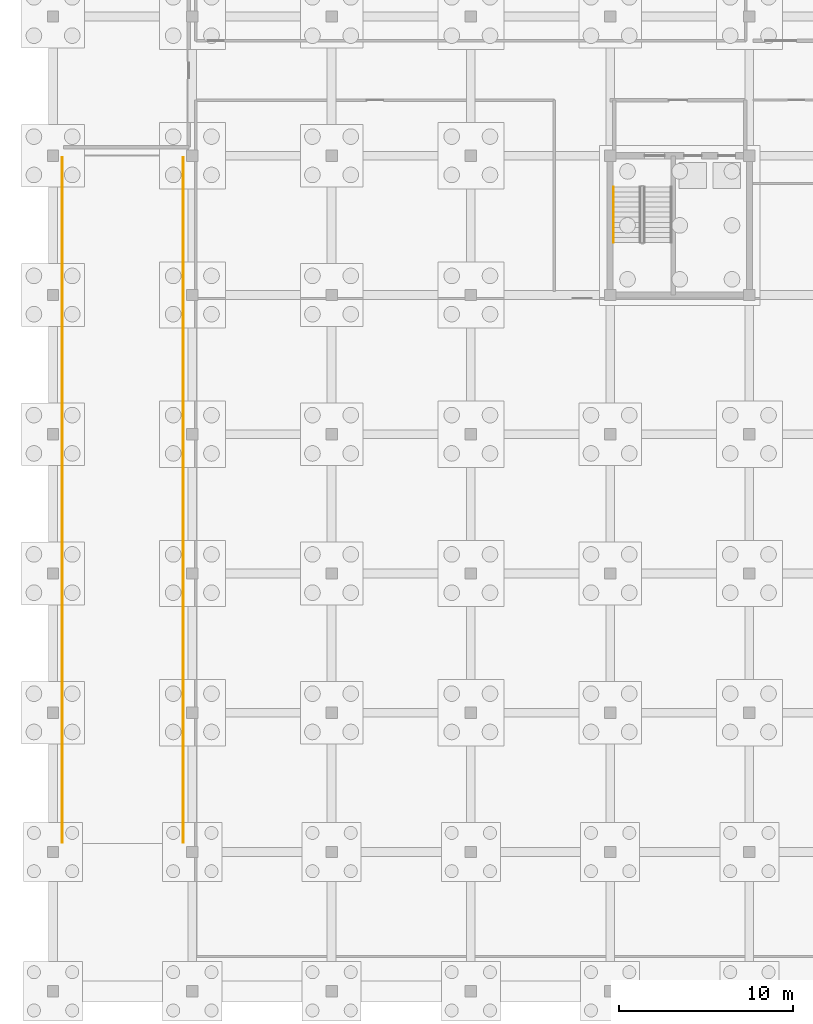
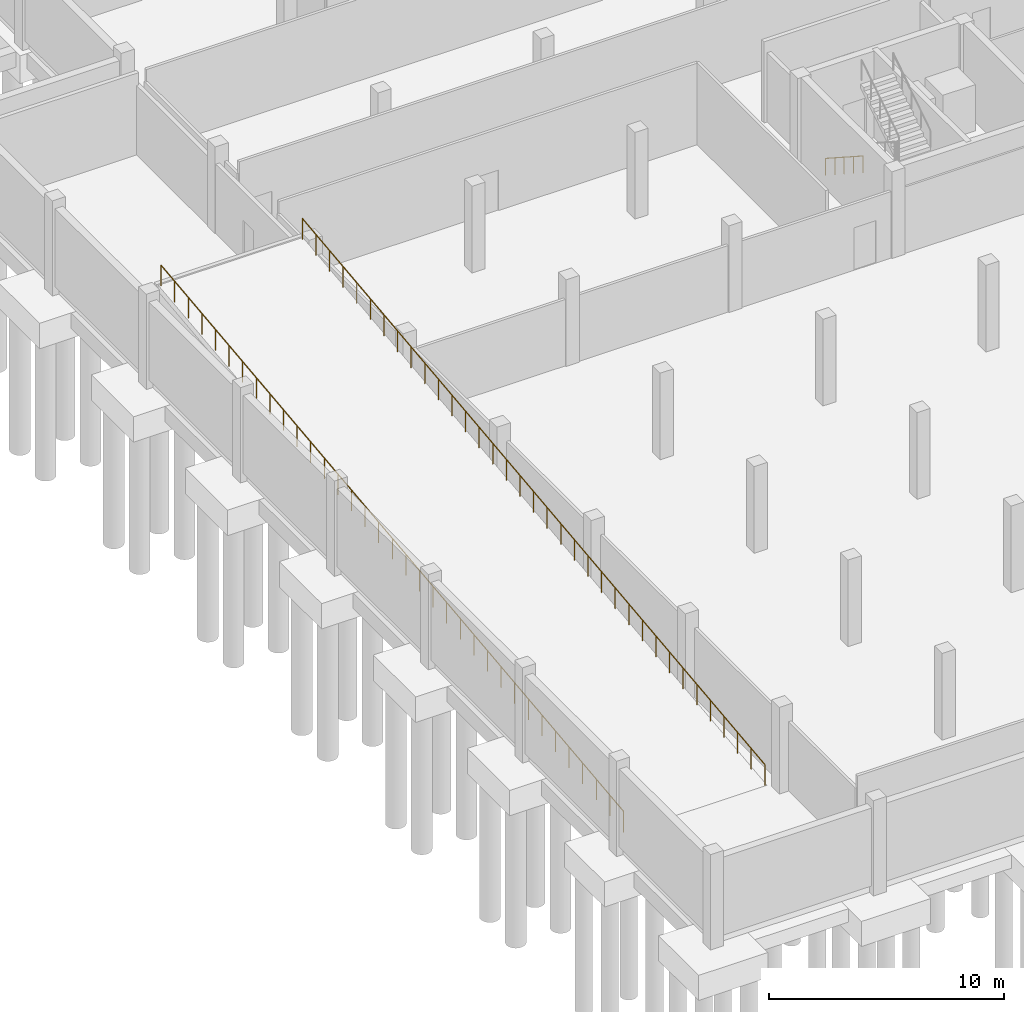
# One storey, part 16 of 22: 3 railings.
"""IFC4 building model written with IfcOpenShell, lengths in metres."""

from ifc_helpers import new_model, si_unit, direction, frame, origin, origin_2d, place, context, subcontext, project, spatial, circle, extrude, material, type_object, element, save


model = new_model("IFC4")

# Units and contexts
model_context = context("Model", 3, precision=1e-05, world=origin(), true_north=direction((0.0, 1.0)))
body_context = subcontext(model_context, "Body", "Model", "MODEL_VIEW")
ifc_project = project(units=[si_unit("LENGTHUNIT", "METRE"), si_unit("AREAUNIT", "SQUARE_METRE"), si_unit("VOLUMEUNIT", "CUBIC_METRE"), si_unit("PLANEANGLEUNIT", "RADIAN"), si_unit("MASSUNIT", "GRAM", prefix="KILO")], contexts=[model_context])

# Site, building, storey
site_placement = place(None, origin())
site = spatial("IfcSite", under=ifc_project, at=site_placement, CompositionType="ELEMENT")
building_placement = place(site_placement, origin())
building = spatial("IfcBuilding", under=site, at=building_placement, Name="Vharandega Faculty of Natural Sciences", CompositionType="ELEMENT")
storey_placement = place(building_placement, frame((0.0, 0.0, -4.5)))
storey = spatial("IfcBuildingStorey", under=building, at=storey_placement, Name="B01", CompositionType="ELEMENT", Elevation=-4.5)

# Railings
ifc_material_1 = material(Name="Brushed stainless steel handrail", Category="steel")
railing_type_1 = type_object("IfcRailingType", Name="Stair Tubular Handrail 900", PredefinedType="HANDRAIL", material=ifc_material_1)
railing_1_placement = place(storey_placement, frame((32.18994140625, 46.2099609375, 0.1875)))
element("IfcRailing", 1, at=railing_1_placement, inside=storey, type_object=railing_type_1, Name="B01 ST3 stair handrail 1", PredefinedType="HANDRAIL", context=body_context, shape_type="SweptSolid", body=[
    extrude(circle(Radius=0.02392578125, at=origin_2d()), frame((0.0, 0.0, 0.8759765625), z_axis=(0.0, -0.839759782654, 0.542958108362), x_axis=(1.0, 0.0, 0.0)), (0.0, 0.0, 1.0), 3.798583984375),
    extrude(circle(Radius=0.02099609375, at=origin_2d()), origin(), (0.0, 0.0, 1.0), 0.851806640625),
    extrude(circle(Radius=0.02099609375, at=origin_2d()), frame((0.0, -0.79736328125, 0.515625)), (0.0, 0.0, 1.0), 0.851806640625),
    extrude(circle(Radius=0.02099609375, at=origin_2d()), frame((0.0, -1.594970703125, 1.03125)), (0.0, 0.0, 1.0), 0.851806640625),
    extrude(circle(Radius=0.02099609375, at=origin_2d()), frame((0.0, -2.392578125, 1.546875)), (0.0, 0.0, 1.0), 0.851806640625),
    extrude(circle(Radius=0.02099609375, at=origin_2d()), frame((0.0, -3.18994140625, 2.0625)), (0.0, 0.0, 1.0), 0.851806640625),
])
ifc_material_2 = material(Name="Galvanised painted steel balustrade", Category="steel")
railing_type_2 = type_object("IfcRailingType", Name="Terrace Steel Guardrail 1100", PredefinedType="GUARDRAIL", material=ifc_material_2)
railing_2_placement = place(storey_placement, frame((0.530029296875, 8.550048828125, 0.0)))
element("IfcRailing", 2, at=railing_2_placement, inside=storey, type_object=railing_type_2, Name="Vehicle Ramp West Guardrail", PredefinedType="GUARDRAIL", context=body_context, shape_type="SweptSolid", body=[
    extrude(circle(Radius=0.02392578125, at=origin_2d()), frame((0.0, 0.0, 1.076171875), z_axis=(0.0, 0.993524484278, 0.113618216583), x_axis=(-1.0, 0.0, 0.0)), (0.0, 0.0, 1.0), 39.6064453125),
    extrude(circle(Radius=0.02099609375, at=origin_2d()), origin(), (0.0, 0.0, 1.0), 1.052001953125),
    extrude(circle(Radius=0.02099609375, at=origin_2d()), frame((0.0, 1.1572265625, 0.13232421875)), (0.0, 0.0, 1.0), 1.052001953125),
    extrude(circle(Radius=0.02099609375, at=origin_2d()), frame((0.0, 2.314697265625, 0.2646484375)), (0.0, 0.0, 1.0), 1.052001953125),
    extrude(circle(Radius=0.02099609375, at=origin_2d()), frame((0.0, 3.47216796875, 0.39697265625)), (0.0, 0.0, 1.0), 1.052001953125),
    extrude(circle(Radius=0.02099609375, at=origin_2d()), frame((0.0, 4.62939453125, 0.529296875)), (0.0, 0.0, 1.0), 1.052001953125),
    extrude(circle(Radius=0.02099609375, at=origin_2d()), frame((0.0, 5.78662109375, 0.661865234375)), (0.0, 0.0, 1.0), 1.052001953125),
    extrude(circle(Radius=0.02099609375, at=origin_2d()), frame((0.0, 6.944091796875, 0.794189453125)), (0.0, 0.0, 1.0), 1.052001953125),
    extrude(circle(Radius=0.02099609375, at=origin_2d()), frame((0.0, 8.1015625, 0.926513671875)), (0.0, 0.0, 1.0), 1.052001953125),
    extrude(circle(Radius=0.02099609375, at=origin_2d()), frame((0.0, 9.2587890625, 1.058837890625)), (0.0, 0.0, 1.0), 1.052001953125),
    extrude(circle(Radius=0.02099609375, at=origin_2d()), frame((0.0, 10.416015625, 1.191162109375)), (0.0, 0.0, 1.0), 1.052001953125),
    extrude(circle(Radius=0.02099609375, at=origin_2d()), frame((0.0, 11.573486328125, 1.323486328125)), (0.0, 0.0, 1.0), 1.052001953125),
    extrude(circle(Radius=0.02099609375, at=origin_2d()), frame((0.0, 12.73095703125, 1.455810546875)), (0.0, 0.0, 1.0), 1.052001953125),
    extrude(circle(Radius=0.02099609375, at=origin_2d()), frame((0.0, 13.88818359375, 1.588134765625)), (0.0, 0.0, 1.0), 1.052001953125),
    extrude(circle(Radius=0.02099609375, at=origin_2d()), frame((0.0, 15.04541015625, 1.720703125)), (0.0, 0.0, 1.0), 1.052001953125),
    extrude(circle(Radius=0.02099609375, at=origin_2d()), frame((0.0, 16.202880859375, 1.85302734375)), (0.0, 0.0, 1.0), 1.052001953125),
    extrude(circle(Radius=0.02099609375, at=origin_2d()), frame((0.0, 17.3603515625, 1.9853515625)), (0.0, 0.0, 1.0), 1.052001953125),
    extrude(circle(Radius=0.02099609375, at=origin_2d()), frame((0.0, 18.517578125, 2.11767578125)), (0.0, 0.0, 1.0), 1.052001953125),
    extrude(circle(Radius=0.02099609375, at=origin_2d()), frame((0.0, 19.6748046875, 2.25)), (0.0, 0.0, 1.0), 1.052001953125),
    extrude(circle(Radius=0.02099609375, at=origin_2d()), frame((0.0, 20.832275390625, 2.38232421875)), (0.0, 0.0, 1.0), 1.052001953125),
    extrude(circle(Radius=0.02099609375, at=origin_2d()), frame((0.0, 21.98974609375, 2.5146484375)), (0.0, 0.0, 1.0), 1.052001953125),
    extrude(circle(Radius=0.02099609375, at=origin_2d()), frame((0.0, 23.14697265625, 2.64697265625)), (0.0, 0.0, 1.0), 1.052001953125),
    extrude(circle(Radius=0.02099609375, at=origin_2d()), frame((0.0, 24.30419921875, 2.779296875)), (0.0, 0.0, 1.0), 1.052001953125),
    extrude(circle(Radius=0.02099609375, at=origin_2d()), frame((0.0, 25.461669921875, 2.911865234375)), (0.0, 0.0, 1.0), 1.052001953125),
    extrude(circle(Radius=0.02099609375, at=origin_2d()), frame((0.0, 26.619140625, 3.044189453125)), (0.0, 0.0, 1.0), 1.052001953125),
    extrude(circle(Radius=0.02099609375, at=origin_2d()), frame((0.0, 27.7763671875, 3.176513671875)), (0.0, 0.0, 1.0), 1.052001953125),
    extrude(circle(Radius=0.02099609375, at=origin_2d()), frame((0.0, 28.933837890625, 3.308837890625)), (0.0, 0.0, 1.0), 1.052001953125),
    extrude(circle(Radius=0.02099609375, at=origin_2d()), frame((0.0, 30.091064453125, 3.441162109375)), (0.0, 0.0, 1.0), 1.052001953125),
    extrude(circle(Radius=0.02099609375, at=origin_2d()), frame((0.0, 31.248291015625, 3.573486328125)), (0.0, 0.0, 1.0), 1.052001953125),
    extrude(circle(Radius=0.02099609375, at=origin_2d()), frame((0.0, 32.40576171875, 3.705810546875)), (0.0, 0.0, 1.0), 1.052001953125),
    extrude(circle(Radius=0.02099609375, at=origin_2d()), frame((0.0, 33.56298828125, 3.838134765625)), (0.0, 0.0, 1.0), 1.052001953125),
    extrude(circle(Radius=0.02099609375, at=origin_2d()), frame((0.0, 34.720458984375, 3.970703125)), (0.0, 0.0, 1.0), 1.052001953125),
    extrude(circle(Radius=0.02099609375, at=origin_2d()), frame((0.0, 35.8779296875, 4.10302734375)), (0.0, 0.0, 1.0), 1.052001953125),
    extrude(circle(Radius=0.02099609375, at=origin_2d()), frame((0.0, 37.03515625, 4.2353515625)), (0.0, 0.0, 1.0), 1.052001953125),
    extrude(circle(Radius=0.02099609375, at=origin_2d()), frame((0.0, 38.1923828125, 4.36767578125)), (0.0, 0.0, 1.0), 1.052001953125),
    extrude(circle(Radius=0.02099609375, at=origin_2d()), frame((0.0, 39.349853515625, 4.5)), (0.0, 0.0, 1.0), 1.052001953125),
])
railing_3_placement = place(storey_placement, frame((7.469970703125, 8.550048828125, 0.0)))
element("IfcRailing", 3, at=railing_3_placement, inside=storey, type_object=railing_type_2, Name="Vehicle Ramp East Guardrail", PredefinedType="GUARDRAIL", context=body_context, shape_type="SweptSolid", body=[
    extrude(circle(Radius=0.02392578125, at=origin_2d()), frame((0.0, 0.0, 1.076171875), z_axis=(0.0, 0.993524484278, 0.113618216583), x_axis=(-1.0, 0.0, 0.0)), (0.0, 0.0, 1.0), 39.6064453125),
    extrude(circle(Radius=0.02099609375, at=origin_2d()), origin(), (0.0, 0.0, 1.0), 1.052001953125),
    extrude(circle(Radius=0.02099609375, at=origin_2d()), frame((0.0, 1.1572265625, 0.13232421875)), (0.0, 0.0, 1.0), 1.052001953125),
    extrude(circle(Radius=0.02099609375, at=origin_2d()), frame((0.0, 2.314697265625, 0.2646484375)), (0.0, 0.0, 1.0), 1.052001953125),
    extrude(circle(Radius=0.02099609375, at=origin_2d()), frame((0.0, 3.47216796875, 0.39697265625)), (0.0, 0.0, 1.0), 1.052001953125),
    extrude(circle(Radius=0.02099609375, at=origin_2d()), frame((0.0, 4.62939453125, 0.529296875)), (0.0, 0.0, 1.0), 1.052001953125),
    extrude(circle(Radius=0.02099609375, at=origin_2d()), frame((0.0, 5.78662109375, 0.661865234375)), (0.0, 0.0, 1.0), 1.052001953125),
    extrude(circle(Radius=0.02099609375, at=origin_2d()), frame((0.0, 6.944091796875, 0.794189453125)), (0.0, 0.0, 1.0), 1.052001953125),
    extrude(circle(Radius=0.02099609375, at=origin_2d()), frame((0.0, 8.1015625, 0.926513671875)), (0.0, 0.0, 1.0), 1.052001953125),
    extrude(circle(Radius=0.02099609375, at=origin_2d()), frame((0.0, 9.2587890625, 1.058837890625)), (0.0, 0.0, 1.0), 1.052001953125),
    extrude(circle(Radius=0.02099609375, at=origin_2d()), frame((0.0, 10.416015625, 1.191162109375)), (0.0, 0.0, 1.0), 1.052001953125),
    extrude(circle(Radius=0.02099609375, at=origin_2d()), frame((0.0, 11.573486328125, 1.323486328125)), (0.0, 0.0, 1.0), 1.052001953125),
    extrude(circle(Radius=0.02099609375, at=origin_2d()), frame((0.0, 12.73095703125, 1.455810546875)), (0.0, 0.0, 1.0), 1.052001953125),
    extrude(circle(Radius=0.02099609375, at=origin_2d()), frame((0.0, 13.88818359375, 1.588134765625)), (0.0, 0.0, 1.0), 1.052001953125),
    extrude(circle(Radius=0.02099609375, at=origin_2d()), frame((0.0, 15.04541015625, 1.720703125)), (0.0, 0.0, 1.0), 1.052001953125),
    extrude(circle(Radius=0.02099609375, at=origin_2d()), frame((0.0, 16.202880859375, 1.85302734375)), (0.0, 0.0, 1.0), 1.052001953125),
    extrude(circle(Radius=0.02099609375, at=origin_2d()), frame((0.0, 17.3603515625, 1.9853515625)), (0.0, 0.0, 1.0), 1.052001953125),
    extrude(circle(Radius=0.02099609375, at=origin_2d()), frame((0.0, 18.517578125, 2.11767578125)), (0.0, 0.0, 1.0), 1.052001953125),
    extrude(circle(Radius=0.02099609375, at=origin_2d()), frame((0.0, 19.6748046875, 2.25)), (0.0, 0.0, 1.0), 1.052001953125),
    extrude(circle(Radius=0.02099609375, at=origin_2d()), frame((0.0, 20.832275390625, 2.38232421875)), (0.0, 0.0, 1.0), 1.052001953125),
    extrude(circle(Radius=0.02099609375, at=origin_2d()), frame((0.0, 21.98974609375, 2.5146484375)), (0.0, 0.0, 1.0), 1.052001953125),
    extrude(circle(Radius=0.02099609375, at=origin_2d()), frame((0.0, 23.14697265625, 2.64697265625)), (0.0, 0.0, 1.0), 1.052001953125),
    extrude(circle(Radius=0.02099609375, at=origin_2d()), frame((0.0, 24.30419921875, 2.779296875)), (0.0, 0.0, 1.0), 1.052001953125),
    extrude(circle(Radius=0.02099609375, at=origin_2d()), frame((0.0, 25.461669921875, 2.911865234375)), (0.0, 0.0, 1.0), 1.052001953125),
    extrude(circle(Radius=0.02099609375, at=origin_2d()), frame((0.0, 26.619140625, 3.044189453125)), (0.0, 0.0, 1.0), 1.052001953125),
    extrude(circle(Radius=0.02099609375, at=origin_2d()), frame((0.0, 27.7763671875, 3.176513671875)), (0.0, 0.0, 1.0), 1.052001953125),
    extrude(circle(Radius=0.02099609375, at=origin_2d()), frame((0.0, 28.933837890625, 3.308837890625)), (0.0, 0.0, 1.0), 1.052001953125),
    extrude(circle(Radius=0.02099609375, at=origin_2d()), frame((0.0, 30.091064453125, 3.441162109375)), (0.0, 0.0, 1.0), 1.052001953125),
    extrude(circle(Radius=0.02099609375, at=origin_2d()), frame((0.0, 31.248291015625, 3.573486328125)), (0.0, 0.0, 1.0), 1.052001953125),
    extrude(circle(Radius=0.02099609375, at=origin_2d()), frame((0.0, 32.40576171875, 3.705810546875)), (0.0, 0.0, 1.0), 1.052001953125),
    extrude(circle(Radius=0.02099609375, at=origin_2d()), frame((0.0, 33.56298828125, 3.838134765625)), (0.0, 0.0, 1.0), 1.052001953125),
    extrude(circle(Radius=0.02099609375, at=origin_2d()), frame((0.0, 34.720458984375, 3.970703125)), (0.0, 0.0, 1.0), 1.052001953125),
    extrude(circle(Radius=0.02099609375, at=origin_2d()), frame((0.0, 35.8779296875, 4.10302734375)), (0.0, 0.0, 1.0), 1.052001953125),
    extrude(circle(Radius=0.02099609375, at=origin_2d()), frame((0.0, 37.03515625, 4.2353515625)), (0.0, 0.0, 1.0), 1.052001953125),
    extrude(circle(Radius=0.02099609375, at=origin_2d()), frame((0.0, 38.1923828125, 4.36767578125)), (0.0, 0.0, 1.0), 1.052001953125),
    extrude(circle(Radius=0.02099609375, at=origin_2d()), frame((0.0, 39.349853515625, 4.5)), (0.0, 0.0, 1.0), 1.052001953125),
])

save(model, "model.ifc")
